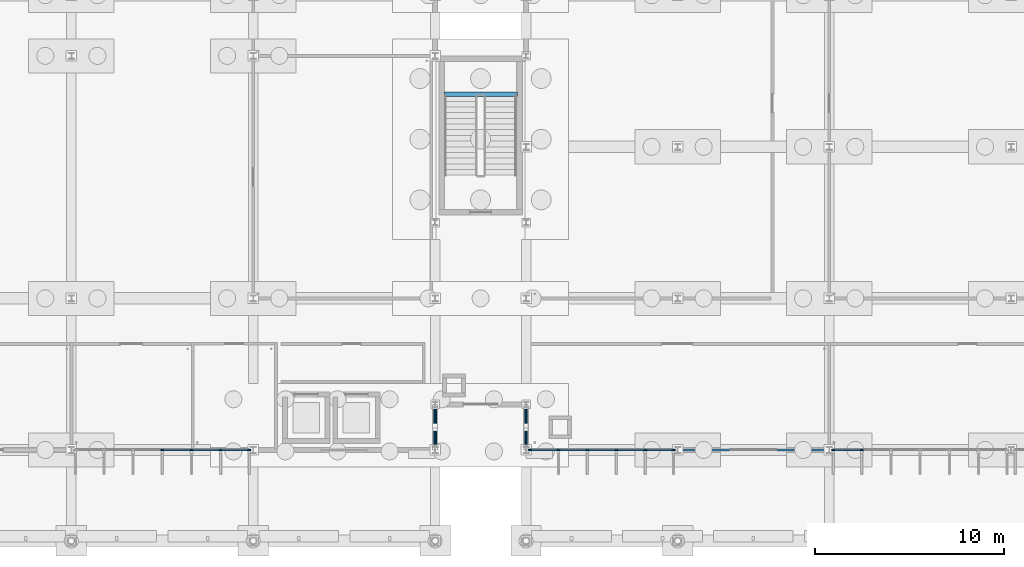
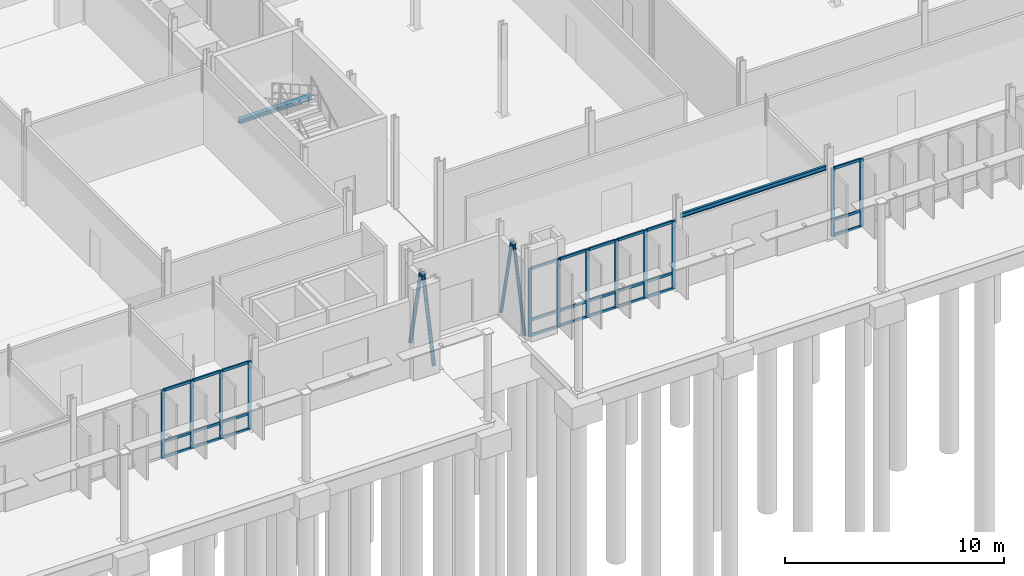
# One storey, part 27 of 111: 43 members, 2 beams, 3 elements without a shape of their own.
"""IFC4 building model written with IfcOpenShell, lengths in metres."""

from ifc_helpers import new_model, si_unit, direction, frame, origin, origin_2d, place, context, subcontext, project, spatial, rectangle, hollow_circle, i_section, extrude, material, material_profile, profile_set, type_object, element, aggregate, save


model = new_model("IFC4")

# Units and contexts
model_context = context("Model", 3, precision=1e-05, world=origin(), true_north=direction((0.0, 1.0)))
body_context = subcontext(model_context, "Body", "Model", "MODEL_VIEW")
ifc_project = project(units=[si_unit("LENGTHUNIT", "METRE"), si_unit("AREAUNIT", "SQUARE_METRE"), si_unit("VOLUMEUNIT", "CUBIC_METRE"), si_unit("PLANEANGLEUNIT", "RADIAN"), si_unit("MASSUNIT", "GRAM", prefix="KILO")], contexts=[model_context])

# Site, building, storey
site_placement = place(None, origin())
site = spatial("IfcSite", under=ifc_project, at=site_placement, CompositionType="ELEMENT")
building_placement = place(site_placement, origin())
building = spatial("IfcBuilding", under=site, at=building_placement, Name="Dunescarp Central Library", CompositionType="ELEMENT")
storey_placement = place(building_placement, origin())
storey = spatial("IfcBuildingStorey", under=building, at=storey_placement, Name="L00", CompositionType="ELEMENT", Elevation=0.0)

# Curtain wall, members
ifc_material_1 = material(Name="Marine-grade anodised aluminium 6063-T6", Category="aluminium")
curtain_wall_type = type_object("IfcCurtainWallType", Name="ARC-CW-STICK", PredefinedType="NOTDEFINED", material=ifc_material_1)
curtain_wall_1_placement = place(storey_placement, origin())
curtain_wall_1 = element("IfcCurtainWall", 1, at=curtain_wall_1_placement, inside=storey, type_object=curtain_wall_type, Name="L00 curtain wall CW-V2-045", PredefinedType="NOTDEFINED")
ifc_material_profile_1 = material_profile(ifc_material_1, rectangle(XDim=0.080078125, YDim=0.179931640625, at=origin_2d()), Name="AL 80x180")
ifc_profile_set_1 = profile_set([ifc_material_profile_1], Name="Marine-grade anodised aluminium 6063-T6")
member_type_1 = type_object("IfcMemberType", Name="ARC-CWM-180", PredefinedType="MULLION", material=ifc_profile_set_1)
member_1_placement = place(storey_placement, frame((66.985107421875, 4.800048828125, 0.0), z_axis=(0.0, 0.0, 1.0), x_axis=(0.0, -1.0, 0.0)))
member_1 = element("IfcMember", 2, at=member_1_placement, type_object=member_type_1, Name="CW-V2-045 mullion 1", PredefinedType="MULLION", context=body_context, shape_type="SweptSolid", body=[
    extrude(rectangle(XDim=0.080078125, YDim=0.179931640625, at=origin_2d()), origin(), (0.0, 0.0, 1.0), 3.804931640625),
])
member_2_placement = place(storey_placement, frame((65.4833984375, 4.800048828125, 0.0), z_axis=(0.0, 0.0, 1.0), x_axis=(0.0, -1.0, 0.0)))
member_2 = element("IfcMember", 3, at=member_2_placement, type_object=member_type_1, Name="CW-V2-045 mullion 2", PredefinedType="MULLION", context=body_context, shape_type="SweptSolid", body=[
    extrude(rectangle(XDim=0.080078125, YDim=0.179931640625, at=origin_2d()), origin(), (0.0, 0.0, 1.0), 3.804931640625),
])
member_3_placement = place(storey_placement, frame((63.941650390625, 4.800048828125, 0.0), z_axis=(0.0, 0.0, 1.0), x_axis=(0.0, -1.0, 0.0)))
member_3 = element("IfcMember", 4, at=member_3_placement, type_object=member_type_1, Name="CW-V2-045 mullion 3", PredefinedType="MULLION", context=body_context, shape_type="SweptSolid", body=[
    extrude(rectangle(XDim=0.080078125, YDim=0.179931640625, at=origin_2d()), origin(), (0.0, 0.0, 1.0), 3.804931640625),
])
member_4_placement = place(storey_placement, frame((62.39990234375, 4.800048828125, 0.0), z_axis=(0.0, 0.0, 1.0), x_axis=(0.0, -1.0, 0.0)))
member_4 = element("IfcMember", 5, at=member_4_placement, type_object=member_type_1, Name="CW-V2-045 mullion 4", PredefinedType="MULLION", context=body_context, shape_type="SweptSolid", body=[
    extrude(rectangle(XDim=0.080078125, YDim=0.179931640625, at=origin_2d()), origin(), (0.0, 0.0, 1.0), 3.804931640625),
])

curtain_wall_2_placement = place(storey_placement, origin())
curtain_wall_2 = element("IfcCurtainWall", 6, at=curtain_wall_2_placement, inside=storey, type_object=curtain_wall_type, Name="L00 curtain wall CW-V3-081", PredefinedType="NOTDEFINED")
member_5_placement = place(storey_placement, frame((89.385009765625, 4.800048828125, 0.0), z_axis=(0.0, 0.0, 1.0), x_axis=(0.0, -1.0, 0.0)))
member_5 = element("IfcMember", 7, at=member_5_placement, type_object=member_type_1, Name="CW-V3-081 mullion 1", PredefinedType="MULLION", context=body_context, shape_type="SweptSolid", body=[
    extrude(rectangle(XDim=0.080078125, YDim=0.179931640625, at=origin_2d()), origin(), (0.0, 0.0, 1.0), 3.804931640625),
])
member_6_placement = place(storey_placement, frame((87.89501953125, 4.800048828125, 0.0), z_axis=(0.0, 0.0, 1.0), x_axis=(0.0, -1.0, 0.0)))
member_6 = element("IfcMember", 8, at=member_6_placement, type_object=member_type_1, Name="CW-V3-081 mullion 2", PredefinedType="MULLION", context=body_context, shape_type="SweptSolid", body=[
    extrude(rectangle(XDim=0.080078125, YDim=0.179931640625, at=origin_2d()), origin(), (0.0, 0.0, 1.0), 3.804931640625),
])
member_7_placement = place(storey_placement, frame((86.364990234375, 4.800048828125, 0.0), z_axis=(0.0, 0.0, 1.0), x_axis=(0.0, -1.0, 0.0)))
member_7 = element("IfcMember", 9, at=member_7_placement, type_object=member_type_1, Name="CW-V3-081 mullion 3", PredefinedType="MULLION", context=body_context, shape_type="SweptSolid", body=[
    extrude(rectangle(XDim=0.080078125, YDim=0.179931640625, at=origin_2d()), origin(), (0.0, 0.0, 1.0), 3.804931640625),
])
member_8_placement = place(storey_placement, frame((84.8349609375, 4.800048828125, 0.0), z_axis=(0.0, 0.0, 1.0), x_axis=(0.0, -1.0, 0.0)))
member_8 = element("IfcMember", 10, at=member_8_placement, type_object=member_type_1, Name="CW-V3-081 mullion 4", PredefinedType="MULLION", context=body_context, shape_type="SweptSolid", body=[
    extrude(rectangle(XDim=0.080078125, YDim=0.179931640625, at=origin_2d()), origin(), (0.0, 0.0, 1.0), 3.804931640625),
])
member_9_placement = place(storey_placement, frame((83.304931640625, 4.800048828125, 0.0), z_axis=(0.0, 0.0, 1.0), x_axis=(0.0, -1.0, 0.0)))
member_9 = element("IfcMember", 11, at=member_9_placement, type_object=member_type_1, Name="CW-V3-081 mullion 5", PredefinedType="MULLION", context=body_context, shape_type="SweptSolid", body=[
    extrude(rectangle(XDim=0.080078125, YDim=0.179931640625, at=origin_2d()), origin(), (0.0, 0.0, 1.0), 3.804931640625),
])
member_10_placement = place(storey_placement, frame((81.81494140625, 4.800048828125, 0.0), z_axis=(0.0, 0.0, 1.0), x_axis=(0.0, -1.0, 0.0)))
member_10 = element("IfcMember", 12, at=member_10_placement, type_object=member_type_1, Name="CW-V3-081 mullion 6", PredefinedType="MULLION", context=body_context, shape_type="SweptSolid", body=[
    extrude(rectangle(XDim=0.080078125, YDim=0.179931640625, at=origin_2d()), origin(), (0.0, 0.0, 1.0), 3.804931640625),
])

curtain_wall_3_placement = place(storey_placement, origin())
curtain_wall_3 = element("IfcCurtainWall", 13, at=curtain_wall_3_placement, inside=storey, type_object=curtain_wall_type, Name="L00 curtain wall CW-V3-082", PredefinedType="NOTDEFINED")
member_11_placement = place(storey_placement, frame((99.316650390625, 4.800048828125, 0.0), z_axis=(0.0, 0.0, 1.0), x_axis=(0.0, -1.0, 0.0)))
member_11 = element("IfcMember", 14, at=member_11_placement, type_object=member_type_1, Name="CW-V3-082 mullion 6", PredefinedType="MULLION", context=body_context, shape_type="SweptSolid", body=[
    extrude(rectangle(XDim=0.080078125, YDim=0.179931640625, at=origin_2d()), origin(), (0.0, 0.0, 1.0), 3.804931640625),
])
member_12_placement = place(storey_placement, frame((97.81494140625, 4.800048828125, 0.0), z_axis=(0.0, 0.0, 1.0), x_axis=(0.0, -1.0, 0.0)))
member_12 = element("IfcMember", 15, at=member_12_placement, type_object=member_type_1, Name="CW-V3-082 mullion 7", PredefinedType="MULLION", context=body_context, shape_type="SweptSolid", body=[
    extrude(rectangle(XDim=0.080078125, YDim=0.179931640625, at=origin_2d()), origin(), (0.0, 0.0, 1.0), 3.804931640625),
])

# Member
ifc_material_profile_2 = material_profile(ifc_material_1, rectangle(XDim=0.080078125, YDim=0.14990234375, at=origin_2d()), Name="AL 80x150")
ifc_profile_set_2 = profile_set([ifc_material_profile_2], Name="Marine-grade anodised aluminium 6063-T6")
member_type_2 = type_object("IfcMemberType", Name="ARC-CWT-150", PredefinedType="USERDEFINED", material=ifc_profile_set_2)
member_13_placement = place(storey_placement, frame((66.945068359375, 4.800048828125, 0.0400390625), z_axis=(-1.0, 0.0, 0.0), x_axis=(0.0, -1.0, 0.0)))
member_13 = element("IfcMember", 16, at=member_13_placement, type_object=member_type_2, Name="CW-V2-045 transom 1.1", ObjectType="TRANSOM", PredefinedType="USERDEFINED", context=body_context, shape_type="SweptSolid", body=[
    extrude(rectangle(XDim=0.080078125, YDim=0.14990234375, at=origin_2d()), origin(), (0.0, 0.0, 1.0), 1.421630859375),
])

member_14_placement = place(storey_placement, frame((66.945068359375, 4.800048828125, 0.89990234375), z_axis=(-1.0, 0.0, 0.0), x_axis=(0.0, -1.0, 0.0)))
member_14 = element("IfcMember", 17, at=member_14_placement, type_object=member_type_2, Name="CW-V2-045 transom 1.2", ObjectType="TRANSOM", PredefinedType="USERDEFINED", context=body_context, shape_type="SweptSolid", body=[
    extrude(rectangle(XDim=0.080078125, YDim=0.14990234375, at=origin_2d()), origin(), (0.0, 0.0, 1.0), 1.421630859375),
])

member_15_placement = place(storey_placement, frame((66.945068359375, 4.800048828125, 3.764892578125), z_axis=(-1.0, 0.0, 0.0), x_axis=(0.0, -1.0, 0.0)))
member_15 = element("IfcMember", 18, at=member_15_placement, type_object=member_type_2, Name="CW-V2-045 transom 1.3", ObjectType="TRANSOM", PredefinedType="USERDEFINED", context=body_context, shape_type="SweptSolid", body=[
    extrude(rectangle(XDim=0.080078125, YDim=0.14990234375, at=origin_2d()), origin(), (0.0, 0.0, 1.0), 1.421630859375),
])

member_16_placement = place(storey_placement, frame((65.443359375, 4.800048828125, 0.0400390625), z_axis=(-1.0, 0.0, 0.0), x_axis=(0.0, -1.0, 0.0)))
member_16 = element("IfcMember", 19, at=member_16_placement, type_object=member_type_2, Name="CW-V2-045 transom 2.1", ObjectType="TRANSOM", PredefinedType="USERDEFINED", context=body_context, shape_type="SweptSolid", body=[
    extrude(rectangle(XDim=0.080078125, YDim=0.14990234375, at=origin_2d()), origin(), (0.0, 0.0, 1.0), 1.461669921875),
])

member_17_placement = place(storey_placement, frame((65.443359375, 4.800048828125, 0.89990234375), z_axis=(-1.0, 0.0, 0.0), x_axis=(0.0, -1.0, 0.0)))
member_17 = element("IfcMember", 20, at=member_17_placement, type_object=member_type_2, Name="CW-V2-045 transom 2.2", ObjectType="TRANSOM", PredefinedType="USERDEFINED", context=body_context, shape_type="SweptSolid", body=[
    extrude(rectangle(XDim=0.080078125, YDim=0.14990234375, at=origin_2d()), origin(), (0.0, 0.0, 1.0), 1.461669921875),
])

member_18_placement = place(storey_placement, frame((65.443359375, 4.800048828125, 3.764892578125), z_axis=(-1.0, 0.0, 0.0), x_axis=(0.0, -1.0, 0.0)))
member_18 = element("IfcMember", 21, at=member_18_placement, type_object=member_type_2, Name="CW-V2-045 transom 2.3", ObjectType="TRANSOM", PredefinedType="USERDEFINED", context=body_context, shape_type="SweptSolid", body=[
    extrude(rectangle(XDim=0.080078125, YDim=0.14990234375, at=origin_2d()), origin(), (0.0, 0.0, 1.0), 1.461669921875),
])

member_19_placement = place(storey_placement, frame((63.901611328125, 4.800048828125, 0.0400390625), z_axis=(-1.0, 0.0, 0.0), x_axis=(0.0, -1.0, 0.0)))
member_19 = element("IfcMember", 22, at=member_19_placement, type_object=member_type_2, Name="CW-V2-045 transom 3.1", ObjectType="TRANSOM", PredefinedType="USERDEFINED", context=body_context, shape_type="SweptSolid", body=[
    extrude(rectangle(XDim=0.080078125, YDim=0.14990234375, at=origin_2d()), origin(), (0.0, 0.0, 1.0), 1.461669921875),
])

member_20_placement = place(storey_placement, frame((63.901611328125, 4.800048828125, 0.89990234375), z_axis=(-1.0, 0.0, 0.0), x_axis=(0.0, -1.0, 0.0)))
member_20 = element("IfcMember", 23, at=member_20_placement, type_object=member_type_2, Name="CW-V2-045 transom 3.2", ObjectType="TRANSOM", PredefinedType="USERDEFINED", context=body_context, shape_type="SweptSolid", body=[
    extrude(rectangle(XDim=0.080078125, YDim=0.14990234375, at=origin_2d()), origin(), (0.0, 0.0, 1.0), 1.461669921875),
])

member_21_placement = place(storey_placement, frame((63.901611328125, 4.800048828125, 3.764892578125), z_axis=(-1.0, 0.0, 0.0), x_axis=(0.0, -1.0, 0.0)))
member_21 = element("IfcMember", 24, at=member_21_placement, type_object=member_type_2, Name="CW-V2-045 transom 3.3", ObjectType="TRANSOM", PredefinedType="USERDEFINED", context=body_context, shape_type="SweptSolid", body=[
    extrude(rectangle(XDim=0.080078125, YDim=0.14990234375, at=origin_2d()), origin(), (0.0, 0.0, 1.0), 1.461669921875),
])

aggregate(curtain_wall_1, [member_1, member_2, member_3, member_4, member_13, member_14, member_15, member_16, member_17, member_18, member_19, member_20, member_21])

member_22_placement = place(storey_placement, frame((89.344970703125, 4.800048828125, 0.0400390625), z_axis=(-1.0, 0.0, 0.0), x_axis=(0.0, -1.0, 0.0)))
member_22 = element("IfcMember", 25, at=member_22_placement, type_object=member_type_2, Name="CW-V3-081 transom 1.1", ObjectType="TRANSOM", PredefinedType="USERDEFINED", context=body_context, shape_type="SweptSolid", body=[
    extrude(rectangle(XDim=0.080078125, YDim=0.14990234375, at=origin_2d()), origin(), (0.0, 0.0, 1.0), 1.409912109375),
])

member_23_placement = place(storey_placement, frame((89.344970703125, 4.800048828125, 0.89990234375), z_axis=(-1.0, 0.0, 0.0), x_axis=(0.0, -1.0, 0.0)))
member_23 = element("IfcMember", 26, at=member_23_placement, type_object=member_type_2, Name="CW-V3-081 transom 1.2", ObjectType="TRANSOM", PredefinedType="USERDEFINED", context=body_context, shape_type="SweptSolid", body=[
    extrude(rectangle(XDim=0.080078125, YDim=0.14990234375, at=origin_2d()), origin(), (0.0, 0.0, 1.0), 1.409912109375),
])

member_24_placement = place(storey_placement, frame((89.344970703125, 4.800048828125, 3.764892578125), z_axis=(-1.0, 0.0, 0.0), x_axis=(0.0, -1.0, 0.0)))
member_24 = element("IfcMember", 27, at=member_24_placement, type_object=member_type_2, Name="CW-V3-081 transom 1.3", ObjectType="TRANSOM", PredefinedType="USERDEFINED", context=body_context, shape_type="SweptSolid", body=[
    extrude(rectangle(XDim=0.080078125, YDim=0.14990234375, at=origin_2d()), origin(), (0.0, 0.0, 1.0), 1.409912109375),
])

member_25_placement = place(storey_placement, frame((87.85498046875, 4.800048828125, 0.0400390625), z_axis=(-1.0, 0.0, 0.0), x_axis=(0.0, -1.0, 0.0)))
member_25 = element("IfcMember", 28, at=member_25_placement, type_object=member_type_2, Name="CW-V3-081 transom 2.1", ObjectType="TRANSOM", PredefinedType="USERDEFINED", context=body_context, shape_type="SweptSolid", body=[
    extrude(rectangle(XDim=0.080078125, YDim=0.14990234375, at=origin_2d()), origin(), (0.0, 0.0, 1.0), 1.449951171875),
])

member_26_placement = place(storey_placement, frame((87.85498046875, 4.800048828125, 0.89990234375), z_axis=(-1.0, 0.0, 0.0), x_axis=(0.0, -1.0, 0.0)))
member_26 = element("IfcMember", 29, at=member_26_placement, type_object=member_type_2, Name="CW-V3-081 transom 2.2", ObjectType="TRANSOM", PredefinedType="USERDEFINED", context=body_context, shape_type="SweptSolid", body=[
    extrude(rectangle(XDim=0.080078125, YDim=0.14990234375, at=origin_2d()), origin(), (0.0, 0.0, 1.0), 1.449951171875),
])

member_27_placement = place(storey_placement, frame((87.85498046875, 4.800048828125, 3.764892578125), z_axis=(-1.0, 0.0, 0.0), x_axis=(0.0, -1.0, 0.0)))
member_27 = element("IfcMember", 30, at=member_27_placement, type_object=member_type_2, Name="CW-V3-081 transom 2.3", ObjectType="TRANSOM", PredefinedType="USERDEFINED", context=body_context, shape_type="SweptSolid", body=[
    extrude(rectangle(XDim=0.080078125, YDim=0.14990234375, at=origin_2d()), origin(), (0.0, 0.0, 1.0), 1.449951171875),
])

member_28_placement = place(storey_placement, frame((86.324951171875, 4.800048828125, 0.0400390625), z_axis=(-1.0, 0.0, 0.0), x_axis=(0.0, -1.0, 0.0)))
member_28 = element("IfcMember", 31, at=member_28_placement, type_object=member_type_2, Name="CW-V3-081 transom 3.1", ObjectType="TRANSOM", PredefinedType="USERDEFINED", context=body_context, shape_type="SweptSolid", body=[
    extrude(rectangle(XDim=0.080078125, YDim=0.14990234375, at=origin_2d()), origin(), (0.0, 0.0, 1.0), 1.449951171875),
])

member_29_placement = place(storey_placement, frame((86.324951171875, 4.800048828125, 0.89990234375), z_axis=(-1.0, 0.0, 0.0), x_axis=(0.0, -1.0, 0.0)))
member_29 = element("IfcMember", 32, at=member_29_placement, type_object=member_type_2, Name="CW-V3-081 transom 3.2", ObjectType="TRANSOM", PredefinedType="USERDEFINED", context=body_context, shape_type="SweptSolid", body=[
    extrude(rectangle(XDim=0.080078125, YDim=0.14990234375, at=origin_2d()), origin(), (0.0, 0.0, 1.0), 1.449951171875),
])

member_30_placement = place(storey_placement, frame((86.324951171875, 4.800048828125, 3.764892578125), z_axis=(-1.0, 0.0, 0.0), x_axis=(0.0, -1.0, 0.0)))
member_30 = element("IfcMember", 33, at=member_30_placement, type_object=member_type_2, Name="CW-V3-081 transom 3.3", ObjectType="TRANSOM", PredefinedType="USERDEFINED", context=body_context, shape_type="SweptSolid", body=[
    extrude(rectangle(XDim=0.080078125, YDim=0.14990234375, at=origin_2d()), origin(), (0.0, 0.0, 1.0), 1.449951171875),
])

member_31_placement = place(storey_placement, frame((84.794921875, 4.800048828125, 0.0400390625), z_axis=(-1.0, 0.0, 0.0), x_axis=(0.0, -1.0, 0.0)))
member_31 = element("IfcMember", 34, at=member_31_placement, type_object=member_type_2, Name="CW-V3-081 transom 4.1", ObjectType="TRANSOM", PredefinedType="USERDEFINED", context=body_context, shape_type="SweptSolid", body=[
    extrude(rectangle(XDim=0.080078125, YDim=0.14990234375, at=origin_2d()), origin(), (0.0, 0.0, 1.0), 1.449951171875),
])

member_32_placement = place(storey_placement, frame((84.794921875, 4.800048828125, 0.89990234375), z_axis=(-1.0, 0.0, 0.0), x_axis=(0.0, -1.0, 0.0)))
member_32 = element("IfcMember", 35, at=member_32_placement, type_object=member_type_2, Name="CW-V3-081 transom 4.2", ObjectType="TRANSOM", PredefinedType="USERDEFINED", context=body_context, shape_type="SweptSolid", body=[
    extrude(rectangle(XDim=0.080078125, YDim=0.14990234375, at=origin_2d()), origin(), (0.0, 0.0, 1.0), 1.449951171875),
])

member_33_placement = place(storey_placement, frame((84.794921875, 4.800048828125, 3.764892578125), z_axis=(-1.0, 0.0, 0.0), x_axis=(0.0, -1.0, 0.0)))
member_33 = element("IfcMember", 36, at=member_33_placement, type_object=member_type_2, Name="CW-V3-081 transom 4.3", ObjectType="TRANSOM", PredefinedType="USERDEFINED", context=body_context, shape_type="SweptSolid", body=[
    extrude(rectangle(XDim=0.080078125, YDim=0.14990234375, at=origin_2d()), origin(), (0.0, 0.0, 1.0), 1.449951171875),
])

member_34_placement = place(storey_placement, frame((83.264892578125, 4.800048828125, 0.0400390625), z_axis=(-1.0, 0.0, 0.0), x_axis=(0.0, -1.0, 0.0)))
member_34 = element("IfcMember", 37, at=member_34_placement, type_object=member_type_2, Name="CW-V3-081 transom 5.1", ObjectType="TRANSOM", PredefinedType="USERDEFINED", context=body_context, shape_type="SweptSolid", body=[
    extrude(rectangle(XDim=0.080078125, YDim=0.14990234375, at=origin_2d()), origin(), (0.0, 0.0, 1.0), 1.409912109375),
])

member_35_placement = place(storey_placement, frame((83.264892578125, 4.800048828125, 0.89990234375), z_axis=(-1.0, 0.0, 0.0), x_axis=(0.0, -1.0, 0.0)))
member_35 = element("IfcMember", 38, at=member_35_placement, type_object=member_type_2, Name="CW-V3-081 transom 5.2", ObjectType="TRANSOM", PredefinedType="USERDEFINED", context=body_context, shape_type="SweptSolid", body=[
    extrude(rectangle(XDim=0.080078125, YDim=0.14990234375, at=origin_2d()), origin(), (0.0, 0.0, 1.0), 1.409912109375),
])

member_36_placement = place(storey_placement, frame((83.264892578125, 4.800048828125, 3.764892578125), z_axis=(-1.0, 0.0, 0.0), x_axis=(0.0, -1.0, 0.0)))
member_36 = element("IfcMember", 39, at=member_36_placement, type_object=member_type_2, Name="CW-V3-081 transom 5.3", ObjectType="TRANSOM", PredefinedType="USERDEFINED", context=body_context, shape_type="SweptSolid", body=[
    extrude(rectangle(XDim=0.080078125, YDim=0.14990234375, at=origin_2d()), origin(), (0.0, 0.0, 1.0), 1.409912109375),
])

aggregate(curtain_wall_2, [member_5, member_6, member_7, member_8, member_9, member_10, member_22, member_23, member_24, member_25, member_26, member_27, member_28, member_29, member_30, member_31, member_32, member_33, member_34, member_35, member_36])

member_37_placement = place(storey_placement, frame((99.276611328125, 4.800048828125, 0.0400390625), z_axis=(-1.0, 0.0, 0.0), x_axis=(0.0, -1.0, 0.0)))
member_37 = element("IfcMember", 40, at=member_37_placement, type_object=member_type_2, Name="CW-V3-082 transom 6.1", ObjectType="TRANSOM", PredefinedType="USERDEFINED", context=body_context, shape_type="SweptSolid", body=[
    extrude(rectangle(XDim=0.080078125, YDim=0.14990234375, at=origin_2d()), origin(), (0.0, 0.0, 1.0), 1.421630859375),
])

member_38_placement = place(storey_placement, frame((99.276611328125, 4.800048828125, 0.89990234375), z_axis=(-1.0, 0.0, 0.0), x_axis=(0.0, -1.0, 0.0)))
member_38 = element("IfcMember", 41, at=member_38_placement, type_object=member_type_2, Name="CW-V3-082 transom 6.2", ObjectType="TRANSOM", PredefinedType="USERDEFINED", context=body_context, shape_type="SweptSolid", body=[
    extrude(rectangle(XDim=0.080078125, YDim=0.14990234375, at=origin_2d()), origin(), (0.0, 0.0, 1.0), 1.421630859375),
])

member_39_placement = place(storey_placement, frame((99.276611328125, 4.800048828125, 3.764892578125), z_axis=(-1.0, 0.0, 0.0), x_axis=(0.0, -1.0, 0.0)))
member_39 = element("IfcMember", 42, at=member_39_placement, type_object=member_type_2, Name="CW-V3-082 transom 6.3", ObjectType="TRANSOM", PredefinedType="USERDEFINED", context=body_context, shape_type="SweptSolid", body=[
    extrude(rectangle(XDim=0.080078125, YDim=0.14990234375, at=origin_2d()), origin(), (0.0, 0.0, 1.0), 1.421630859375),
])

aggregate(curtain_wall_3, [member_11, member_12, member_37, member_38, member_39])

# Members
ifc_material_2 = material(Name="Steel S355J0", Category="steel")
ifc_material_profile_3 = material_profile(ifc_material_2, hollow_circle(Radius=0.084228515625, WallThickness=0.008056640625, at=origin_2d()), Name="CHS 168.3x8")
ifc_profile_set_3 = profile_set([ifc_material_profile_3], Name="Steel S355J0")
member_type_3 = type_object("IfcMemberType", Name="STR-BR-168", PredefinedType="BRACE", material=ifc_profile_set_3)
for number, where, z_axis, x_axis, name in (
    (43, (81.60009765625, 4.919921875, 0.044921875), (0.0, 0.212651644533, 0.977128076599), (-1.0, 0.0, 0.0), "L00 concentric brace BR-L00-033"),
    (44, (81.60009765625, 7.080078125, 0.044921875), (0.0, -0.212651644533, 0.977128076599), (1.0, 0.0, 0.0), "L00 concentric brace BR-L00-034"),
):
    element("IfcMember", number, at=place(storey_placement, frame(where, z_axis=z_axis, x_axis=x_axis)), inside=storey, type_object=member_type_3, Name=name, PredefinedType="BRACE", context=body_context, shape_type="SweptSolid", body=[
        extrude(hollow_circle(Radius=0.084228515625, WallThickness=0.008056640625, at=origin_2d()), origin(), (0.0, 0.0, 1.0), 4.70263671875),
    ])
ifc_material_profile_4 = material_profile(ifc_material_2, hollow_circle(Radius=0.096923828125, WallThickness=0.010009765625, at=origin_2d()), Name="CHS 193.7x10")
ifc_profile_set_4 = profile_set([ifc_material_profile_4], Name="Steel S355J0")
member_type_4 = type_object("IfcMemberType", Name="STR-BR-193", PredefinedType="BRACE", material=ifc_profile_set_4)
for number, where, z_axis, x_axis, name in (
    (45, (76.800048828125, 4.919921875, 0.044921875), (0.0, 0.212651644533, 0.977128076599), (-1.0, 0.0, 0.0), "L00 concentric brace BR-L00-023"),
    (46, (76.800048828125, 7.080078125, 0.044921875), (0.0, -0.212651644533, 0.977128076599), (1.0, 0.0, 0.0), "L00 concentric brace BR-L00-024"),
):
    element("IfcMember", number, at=place(storey_placement, frame(where, z_axis=z_axis, x_axis=x_axis)), inside=storey, type_object=member_type_4, Name=name, PredefinedType="BRACE", context=body_context, shape_type="SweptSolid", body=[
        extrude(hollow_circle(Radius=0.096923828125, WallThickness=0.010009765625, at=origin_2d()), origin(), (0.0, 0.0, 1.0), 4.70263671875),
    ])

# Beams
ifc_material_3 = material(Name="Steel S355JR", Category="steel")
ifc_material_profile_5 = material_profile(ifc_material_3, i_section(OverallWidth=0.239990234375, OverallDepth=0.22998046875, WebThickness=0.007568359375, FlangeThickness=0.011962890625, at=origin_2d()), Name="HEA 240")
ifc_profile_set_5 = profile_set([ifc_material_profile_5], Name="Steel S355JR")
beam_type_1 = type_object("IfcBeamType", Name="STR-JS-HEA240", PredefinedType="JOIST", material=ifc_profile_set_5)
beam_1_placement = place(storey_placement, frame((77.260009765625, 23.580078125, 2.235107421875), z_axis=(1.0, 0.0, 0.0), x_axis=(0.0, 1.0, 0.0)))
element("IfcBeam", 47, at=beam_1_placement, inside=storey, type_object=beam_type_1, Name="L00 ST-3 landing trimmer beam BM-ST-019", PredefinedType="BEAM", context=body_context, shape_type="SweptSolid", body=[
    extrude(i_section(OverallWidth=0.239990234375, OverallDepth=0.22998046875, WebThickness=0.007568359375, FlangeThickness=0.011962890625, at=origin_2d()), origin(), (0.0, 0.0, 1.0), 3.8798828125),
])
ifc_material_profile_6 = material_profile(ifc_material_3, i_section(OverallWidth=0.1201171875, OverallDepth=0.239990234375, WebThickness=0.006103515625, FlangeThickness=0.009765625, at=origin_2d()), Name="IPE 240")
ifc_profile_set_6 = profile_set([ifc_material_profile_6], Name="Steel S355JR")
beam_type_2 = type_object("IfcBeamType", Name="STR-LN-IPE240", PredefinedType="LINTEL", material=ifc_profile_set_6)
beam_2_placement = place(storey_placement, frame((89.7470703125, 4.800048828125, 3.949951171875), z_axis=(1.0, 0.0, 0.0), x_axis=(0.0, 1.0, 0.0)))
element("IfcBeam", 48, at=beam_2_placement, inside=storey, type_object=beam_type_2, Name="L00 structural lintel LN-L00-07", PredefinedType="LINTEL", context=body_context, shape_type="SweptSolid", body=[
    extrude(i_section(OverallWidth=0.1201171875, OverallDepth=0.239990234375, WebThickness=0.006103515625, FlangeThickness=0.009765625, at=origin_2d()), origin(), (0.0, 0.0, 1.0), 7.705810546875),
])

save(model, "model.ifc")
